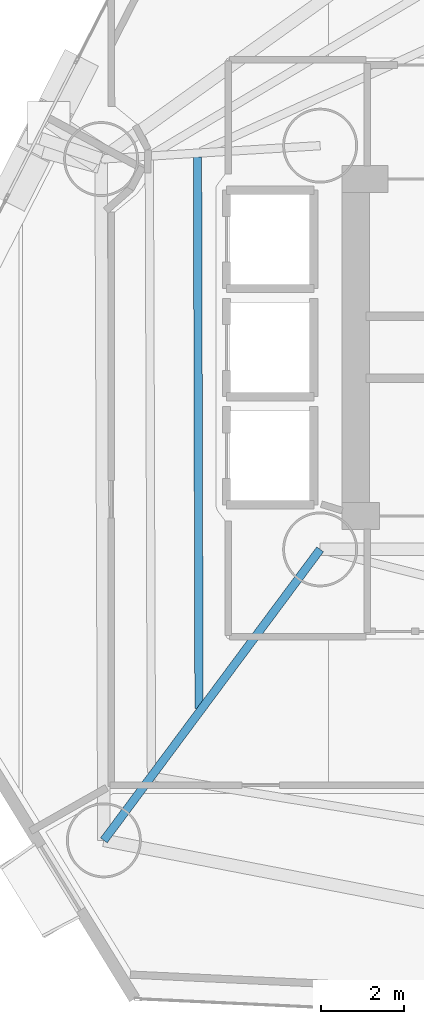
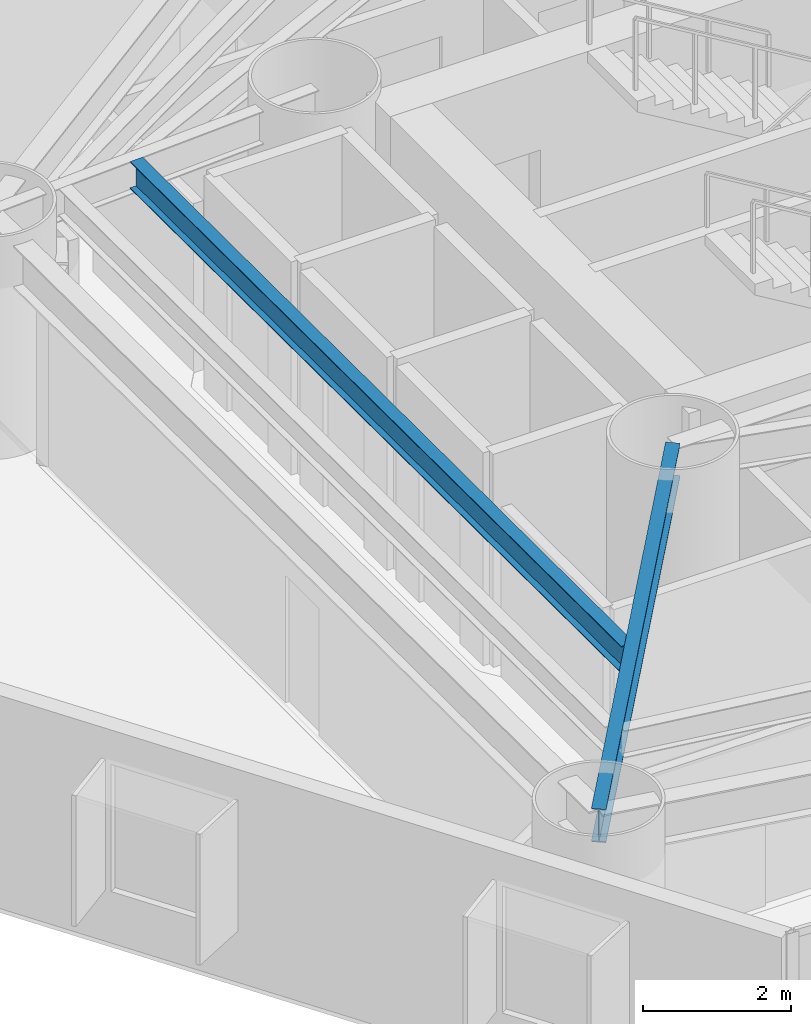
# One storey, part 4 of 23: 2 beams.
"""IFC4 building model written with IfcOpenShell, lengths in metres."""

from ifc_helpers import new_model, si_unit, direction, frame, origin, origin_2d, place, context, subcontext, project, spatial, i_section, extrude, material, material_profile, profile_set, type_object, element, save


model = new_model("IFC4")

# Units and contexts
model_context = context("Model", 3, precision=1e-05, world=origin(), true_north=direction((0.0, 1.0)))
body_context = subcontext(model_context, "Body", "Model", "MODEL_VIEW")
ifc_project = project(units=[si_unit("LENGTHUNIT", "METRE"), si_unit("AREAUNIT", "SQUARE_METRE"), si_unit("VOLUMEUNIT", "CUBIC_METRE"), si_unit("PLANEANGLEUNIT", "RADIAN"), si_unit("MASSUNIT", "GRAM", prefix="KILO")], contexts=[model_context])

# Site, building, storey
site_placement = place(None, origin())
site = spatial("IfcSite", under=ifc_project, at=site_placement, CompositionType="ELEMENT")
building_placement = place(site_placement, origin())
building = spatial("IfcBuilding", under=site, at=building_placement, Name="Qianvela Tower", CompositionType="ELEMENT")
storey_placement = place(building_placement, frame((0.0, 0.0, 36.800048828125)))
storey = spatial("IfcBuildingStorey", under=building, at=storey_placement, Name="L08", CompositionType="ELEMENT", Elevation=36.800048828125)

# Beams
ifc_material_1 = material(Name="Steel Q355B", Category="steel")
ifc_material_profile_1 = material_profile(ifc_material_1, i_section(OverallWidth=0.199951171875, OverallDepth=0.449951171875, WebThickness=0.009033203125, FlangeThickness=0.013916015625, at=origin_2d()), Name="HN450x200x9x14")
ifc_profile_set_1 = profile_set([ifc_material_profile_1], Name="Steel Q355B")
beam_type_1 = type_object("IfcBeamType", Name="BM-HN450-JOIST", PredefinedType="JOIST", material=ifc_profile_set_1)
beam_1_placement = place(storey_placement, frame((25.653564453125, 33.273681640625, 3.29296875), z_axis=(0.002747039783, -0.999996226879, 0.0), x_axis=(0.999996226879, 0.002747039783, 0.0)))
element("IfcBeam", 1, at=beam_1_placement, inside=storey, type_object=beam_type_1, Name="L08 Secondary Composite Floor Joist 4.2", PredefinedType="JOIST", context=body_context, shape_type="SweptSolid", body=[
    extrude(i_section(OverallWidth=0.199951171875, OverallDepth=0.449951171875, WebThickness=0.009033203125, FlangeThickness=0.013916015625, at=origin_2d()), origin(), (0.0, 0.0, 1.0), 13.2421875),
])
ifc_material_2 = material(Name="Steel Q355B", Category="steel")
ifc_material_profile_2 = material_profile(ifc_material_2, i_section(OverallWidth=0.199951171875, OverallDepth=0.550048828125, WebThickness=0.010009765625, FlangeThickness=0.01611328125, at=origin_2d()), Name="HN550x200x10x16")
ifc_profile_set_2 = profile_set([ifc_material_profile_2], Name="Steel Q355B")
beam_type_2 = type_object("IfcBeamType", Name="BM-HN550-GIRD", PredefinedType="BEAM", material=ifc_profile_set_2)
beam_2_placement = place(storey_placement, frame((28.60009765625, 23.85009765625, 3.242919921875), z_axis=(-0.596581498031, -0.802552500593, 0.0), x_axis=(0.802552500593, -0.596581498031, 0.0)))
element("IfcBeam", 2, at=beam_2_placement, inside=storey, type_object=beam_type_2, Name="L08 Radial Primary Floor Girder 5", PredefinedType="BEAM", context=body_context, shape_type="SweptSolid", body=[
    extrude(i_section(OverallWidth=0.199951171875, OverallDepth=0.550048828125, WebThickness=0.010009765625, FlangeThickness=0.01611328125, at=origin_2d()), origin(), (0.0, 0.0, 1.0), 8.709716796875),
])

save(model, "model.ifc")
